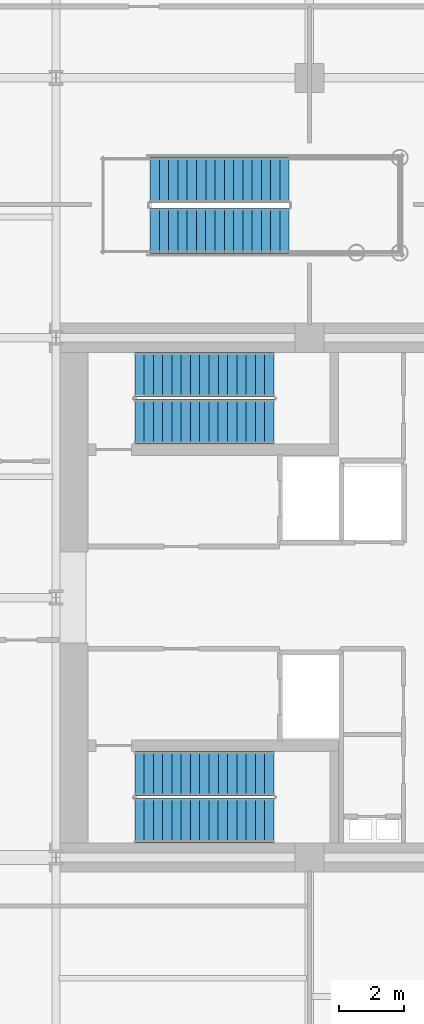
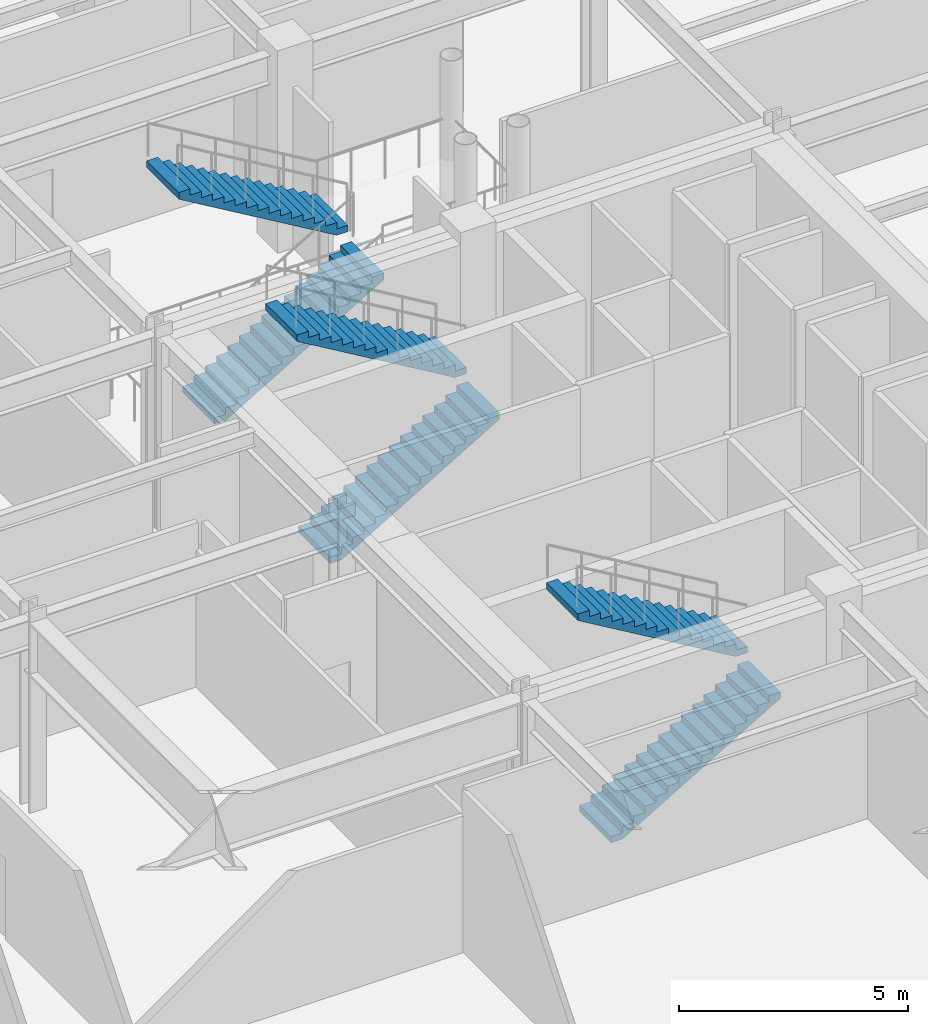
# One storey, part 11 of 13: 6 stair flights, 3 elements without a shape of their own.
"""IFC4 building model written with IfcOpenShell, lengths in metres."""

from ifc_helpers import new_model, si_unit, direction, frame, origin, place, context, subcontext, project, spatial, polyline, outline, extrude, material, type_object, element, aggregate, save


model = new_model("IFC4")

# Units and contexts
model_context = context("Model", 3, precision=1e-05, world=origin(), true_north=direction((0.0, 1.0)))
body_context = subcontext(model_context, "Body", "Model", "MODEL_VIEW")
ifc_project = project(units=[si_unit("LENGTHUNIT", "METRE"), si_unit("AREAUNIT", "SQUARE_METRE"), si_unit("VOLUMEUNIT", "CUBIC_METRE"), si_unit("PLANEANGLEUNIT", "RADIAN"), si_unit("MASSUNIT", "GRAM", prefix="KILO")], contexts=[model_context])

# Site, building, storey
site_placement = place(None, origin())
site = spatial("IfcSite", under=ifc_project, at=site_placement, CompositionType="ELEMENT")
building_placement = place(site_placement, origin())
building = spatial("IfcBuilding", under=site, at=building_placement, Name="Veymaron Broadcast Tower", CompositionType="ELEMENT")
storey_placement = place(building_placement, frame((0.0, 0.0, 21.60009765625)))
storey = spatial("IfcBuildingStorey", under=building, at=storey_placement, Name="L04", CompositionType="ELEMENT", Elevation=21.60009765625)

# Stair, stair flights
ifc_material_1 = material(Name="Concrete C50/60", Category="concrete")
stair_type_1 = type_object("IfcStairType", Name="STAIR-CORE-1", PredefinedType="HALF_TURN_STAIR", material=ifc_material_1)
stair_1_placement = place(storey_placement, origin())
stair_1 = element("IfcStair", 1, at=stair_1_placement, inside=storey, type_object=stair_type_1, Name="L04 North protected dog-leg exit stair ST1", PredefinedType="HALF_TURN_STAIR")
ifc_material_2 = material(Name="Precast concrete C50/60", Category="concrete")
stair_flight_type_1 = type_object("IfcStairFlightType", Name="FLT-CORE-RC", PredefinedType="STRAIGHT", material=ifc_material_2)
stair_flight_1_placement = place(storey_placement, frame((41.429931640625, 29.419921875, 0.0), z_axis=(0.0, 0.0, 1.0), x_axis=(1.0, 0.0, 0.0)))
stair_flight_1 = element("IfcStairFlight", 2, at=stair_flight_1_placement, type_object=stair_flight_type_1, Name="ST1 flight 1", NumberOfRisers=16, NumberOfTreads=15, PredefinedType="STRAIGHT", RiserHeight=0.16875, TreadLength=0.285, context=body_context, shape_type="SweptSolid", body=[
    extrude(outline(polyline([(0.0, 0.0), (0.0, 0.168701171875), (0.284912109375, 0.168701171875), (0.284912109375, 0.33740234375), (0.570068359375, 0.33740234375), (0.570068359375, 0.50634765625), (0.85498046875, 0.50634765625), (0.85498046875, 0.675048828125), (1.139892578125, 0.675048828125), (1.139892578125, 0.84375), (1.425048828125, 0.84375), (1.425048828125, 1.012451171875), (1.7099609375, 1.012451171875), (1.7099609375, 1.18115234375), (1.9951171875, 1.18115234375), (1.9951171875, 1.35009765625), (2.280029296875, 1.35009765625), (2.280029296875, 1.518798828125), (2.56494140625, 1.518798828125), (2.56494140625, 1.6875), (2.85009765625, 1.6875), (2.85009765625, 1.856201171875), (3.135009765625, 1.856201171875), (3.135009765625, 2.02490234375), (3.419921875, 2.02490234375), (3.419921875, 2.19384765625), (3.705078125, 2.19384765625), (3.705078125, 2.362548828125), (3.989990234375, 2.362548828125), (3.989990234375, 2.53125), (4.27490234375, 2.53125), (4.27490234375, 2.699951171875), (4.27490234375, 2.35693359375), (0.294189453125, 0.0), (0.0, 0.0)])), frame((0.0, 0.68994140625, 0.0), z_axis=(0.0, -1.0, 0.0), x_axis=(1.0, 0.0, 0.0)), (0.0, 0.0, 1.0), 1.3798828125),
])
stair_flight_2_placement = place(storey_placement, frame((45.705078125, 30.860107421875, 2.699951171875), z_axis=(0.0, 0.0, 1.0), x_axis=(-1.0, 0.0, 0.0)))
stair_flight_2 = element("IfcStairFlight", 3, at=stair_flight_2_placement, type_object=stair_flight_type_1, Name="ST1 flight 2", NumberOfRisers=16, NumberOfTreads=15, PredefinedType="STRAIGHT", RiserHeight=0.16875, TreadLength=0.285, context=body_context, shape_type="SweptSolid", body=[
    extrude(outline(polyline([(0.0, 0.0), (0.0, 0.168701171875), (0.284912109375, 0.168701171875), (0.284912109375, 0.33740234375), (0.570068359375, 0.33740234375), (0.570068359375, 0.50634765625), (0.85498046875, 0.50634765625), (0.85498046875, 0.675048828125), (1.139892578125, 0.675048828125), (1.139892578125, 0.84375), (1.425048828125, 0.84375), (1.425048828125, 1.012451171875), (1.7099609375, 1.012451171875), (1.7099609375, 1.18115234375), (1.9951171875, 1.18115234375), (1.9951171875, 1.35009765625), (2.280029296875, 1.35009765625), (2.280029296875, 1.518798828125), (2.56494140625, 1.518798828125), (2.56494140625, 1.6875), (2.85009765625, 1.6875), (2.85009765625, 1.856201171875), (3.135009765625, 1.856201171875), (3.135009765625, 2.02490234375), (3.419921875, 2.02490234375), (3.419921875, 2.19384765625), (3.705078125, 2.19384765625), (3.705078125, 2.362548828125), (3.989990234375, 2.362548828125), (3.989990234375, 2.53125), (4.27490234375, 2.53125), (4.27490234375, 2.699951171875), (4.27490234375, 2.35693359375), (0.294189453125, 0.0), (0.0, 0.0)])), frame((0.0, 0.68994140625, 0.0), z_axis=(0.0, -1.0, 0.0), x_axis=(1.0, 0.0, 0.0)), (0.0, 0.0, 1.0), 1.3798828125),
])
aggregate(stair_1, [stair_flight_1, stair_flight_2])

stair_type_2 = type_object("IfcStairType", Name="STAIR-CORE-2", PredefinedType="HALF_TURN_STAIR", material=ifc_material_1)
stair_2_placement = place(storey_placement, origin())
stair_2 = element("IfcStair", 4, at=stair_2_placement, inside=storey, type_object=stair_type_2, Name="L04 South protected dog-leg exit stair ST2", PredefinedType="HALF_TURN_STAIR")
stair_flight_3_placement = place(storey_placement, frame((41.429931640625, 17.139892578125, 0.0), z_axis=(0.0, 0.0, 1.0), x_axis=(1.0, 0.0, 0.0)))
stair_flight_3 = element("IfcStairFlight", 5, at=stair_flight_3_placement, type_object=stair_flight_type_1, Name="ST2 flight 1", NumberOfRisers=16, NumberOfTreads=15, PredefinedType="STRAIGHT", RiserHeight=0.16875, TreadLength=0.285, context=body_context, shape_type="SweptSolid", body=[
    extrude(outline(polyline([(0.0, 0.0), (0.0, 0.168701171875), (0.284912109375, 0.168701171875), (0.284912109375, 0.33740234375), (0.570068359375, 0.33740234375), (0.570068359375, 0.50634765625), (0.85498046875, 0.50634765625), (0.85498046875, 0.675048828125), (1.139892578125, 0.675048828125), (1.139892578125, 0.84375), (1.425048828125, 0.84375), (1.425048828125, 1.012451171875), (1.7099609375, 1.012451171875), (1.7099609375, 1.18115234375), (1.9951171875, 1.18115234375), (1.9951171875, 1.35009765625), (2.280029296875, 1.35009765625), (2.280029296875, 1.518798828125), (2.56494140625, 1.518798828125), (2.56494140625, 1.6875), (2.85009765625, 1.6875), (2.85009765625, 1.856201171875), (3.135009765625, 1.856201171875), (3.135009765625, 2.02490234375), (3.419921875, 2.02490234375), (3.419921875, 2.19384765625), (3.705078125, 2.19384765625), (3.705078125, 2.362548828125), (3.989990234375, 2.362548828125), (3.989990234375, 2.53125), (4.27490234375, 2.53125), (4.27490234375, 2.699951171875), (4.27490234375, 2.35693359375), (0.294189453125, 0.0), (0.0, 0.0)])), frame((0.0, 0.68994140625, 0.0), z_axis=(0.0, -1.0, 0.0), x_axis=(1.0, 0.0, 0.0)), (0.0, 0.0, 1.0), 1.3798828125),
])
stair_flight_4_placement = place(storey_placement, frame((45.705078125, 18.580078125, 2.699951171875), z_axis=(0.0, 0.0, 1.0), x_axis=(-1.0, 0.0, 0.0)))
stair_flight_4 = element("IfcStairFlight", 6, at=stair_flight_4_placement, type_object=stair_flight_type_1, Name="ST2 flight 2", NumberOfRisers=16, NumberOfTreads=15, PredefinedType="STRAIGHT", RiserHeight=0.16875, TreadLength=0.285, context=body_context, shape_type="SweptSolid", body=[
    extrude(outline(polyline([(0.0, 0.0), (0.0, 0.168701171875), (0.284912109375, 0.168701171875), (0.284912109375, 0.33740234375), (0.570068359375, 0.33740234375), (0.570068359375, 0.50634765625), (0.85498046875, 0.50634765625), (0.85498046875, 0.675048828125), (1.139892578125, 0.675048828125), (1.139892578125, 0.84375), (1.425048828125, 0.84375), (1.425048828125, 1.012451171875), (1.7099609375, 1.012451171875), (1.7099609375, 1.18115234375), (1.9951171875, 1.18115234375), (1.9951171875, 1.35009765625), (2.280029296875, 1.35009765625), (2.280029296875, 1.518798828125), (2.56494140625, 1.518798828125), (2.56494140625, 1.6875), (2.85009765625, 1.6875), (2.85009765625, 1.856201171875), (3.135009765625, 1.856201171875), (3.135009765625, 2.02490234375), (3.419921875, 2.02490234375), (3.419921875, 2.19384765625), (3.705078125, 2.19384765625), (3.705078125, 2.362548828125), (3.989990234375, 2.362548828125), (3.989990234375, 2.53125), (4.27490234375, 2.53125), (4.27490234375, 2.699951171875), (4.27490234375, 2.35693359375), (0.294189453125, 0.0), (0.0, 0.0)])), frame((0.0, 0.68994140625, 0.0), z_axis=(0.0, -1.0, 0.0), x_axis=(1.0, 0.0, 0.0)), (0.0, 0.0, 1.0), 1.3798828125),
])
aggregate(stair_2, [stair_flight_3, stair_flight_4])

ifc_material_3 = material(Name="Structural steel ASTM A992 Gr 50", Category="steel")
stair_type_3 = type_object("IfcStairType", Name="STAIR-FEAT-01", PredefinedType="HALF_TURN_STAIR", material=ifc_material_3)
stair_3_placement = place(storey_placement, origin())
stair_3 = element("IfcStair", 7, at=stair_3_placement, inside=storey, type_object=stair_type_3, Name="L04 Waterfront concourse monumental feature stair STF1", PredefinedType="HALF_TURN_STAIR")
stair_flight_type_2 = type_object("IfcStairFlightType", Name="FLT-FEAT-STL", PredefinedType="STRAIGHT", material=ifc_material_3)
stair_flight_5_placement = place(storey_placement, frame((41.89990234375, 35.300048828125, 0.0), z_axis=(0.0, 0.0, 1.0), x_axis=(1.0, 0.0, 0.0)))
stair_flight_5 = element("IfcStairFlight", 8, at=stair_flight_5_placement, type_object=stair_flight_type_2, Name="STF1 flight 1", NumberOfRisers=16, NumberOfTreads=15, PredefinedType="STRAIGHT", RiserHeight=0.16875, TreadLength=0.285, context=body_context, shape_type="SweptSolid", body=[
    extrude(outline(polyline([(0.0, 0.0), (0.0, 0.168701171875), (0.284912109375, 0.168701171875), (0.284912109375, 0.33740234375), (0.570068359375, 0.33740234375), (0.570068359375, 0.50634765625), (0.85498046875, 0.50634765625), (0.85498046875, 0.675048828125), (1.139892578125, 0.675048828125), (1.139892578125, 0.84375), (1.425048828125, 0.84375), (1.425048828125, 1.012451171875), (1.7099609375, 1.012451171875), (1.7099609375, 1.18115234375), (1.9951171875, 1.18115234375), (1.9951171875, 1.35009765625), (2.280029296875, 1.35009765625), (2.280029296875, 1.518798828125), (2.56494140625, 1.518798828125), (2.56494140625, 1.6875), (2.85009765625, 1.6875), (2.85009765625, 1.856201171875), (3.135009765625, 1.856201171875), (3.135009765625, 2.02490234375), (3.419921875, 2.02490234375), (3.419921875, 2.19384765625), (3.705078125, 2.19384765625), (3.705078125, 2.362548828125), (3.989990234375, 2.362548828125), (3.989990234375, 2.53125), (4.27490234375, 2.53125), (4.27490234375, 2.699951171875), (4.27490234375, 2.35693359375), (0.294189453125, 0.0), (0.0, 0.0)])), frame((0.0, 0.699951171875, 0.0), z_axis=(0.0, -1.0, 0.0), x_axis=(1.0, 0.0, 0.0)), (0.0, 0.0, 1.0), 1.39990234375),
])
stair_flight_6_placement = place(storey_placement, frame((46.175048828125, 36.860107421875, 2.699951171875), z_axis=(0.0, 0.0, 1.0), x_axis=(-1.0, 0.0, 0.0)))
stair_flight_6 = element("IfcStairFlight", 9, at=stair_flight_6_placement, type_object=stair_flight_type_2, Name="STF1 flight 2", NumberOfRisers=16, NumberOfTreads=15, PredefinedType="STRAIGHT", RiserHeight=0.16875, TreadLength=0.285, context=body_context, shape_type="SweptSolid", body=[
    extrude(outline(polyline([(0.0, 0.0), (0.0, 0.168701171875), (0.284912109375, 0.168701171875), (0.284912109375, 0.33740234375), (0.570068359375, 0.33740234375), (0.570068359375, 0.50634765625), (0.85498046875, 0.50634765625), (0.85498046875, 0.675048828125), (1.139892578125, 0.675048828125), (1.139892578125, 0.84375), (1.425048828125, 0.84375), (1.425048828125, 1.012451171875), (1.7099609375, 1.012451171875), (1.7099609375, 1.18115234375), (1.9951171875, 1.18115234375), (1.9951171875, 1.35009765625), (2.280029296875, 1.35009765625), (2.280029296875, 1.518798828125), (2.56494140625, 1.518798828125), (2.56494140625, 1.6875), (2.85009765625, 1.6875), (2.85009765625, 1.856201171875), (3.135009765625, 1.856201171875), (3.135009765625, 2.02490234375), (3.419921875, 2.02490234375), (3.419921875, 2.19384765625), (3.705078125, 2.19384765625), (3.705078125, 2.362548828125), (3.989990234375, 2.362548828125), (3.989990234375, 2.53125), (4.27490234375, 2.53125), (4.27490234375, 2.699951171875), (4.27490234375, 2.35693359375), (0.294189453125, 0.0), (0.0, 0.0)])), frame((0.0, 0.699951171875, 0.0), z_axis=(0.0, -1.0, 0.0), x_axis=(1.0, 0.0, 0.0)), (0.0, 0.0, 1.0), 1.39990234375),
])
aggregate(stair_3, [stair_flight_5, stair_flight_6])

save(model, "model.ifc")
